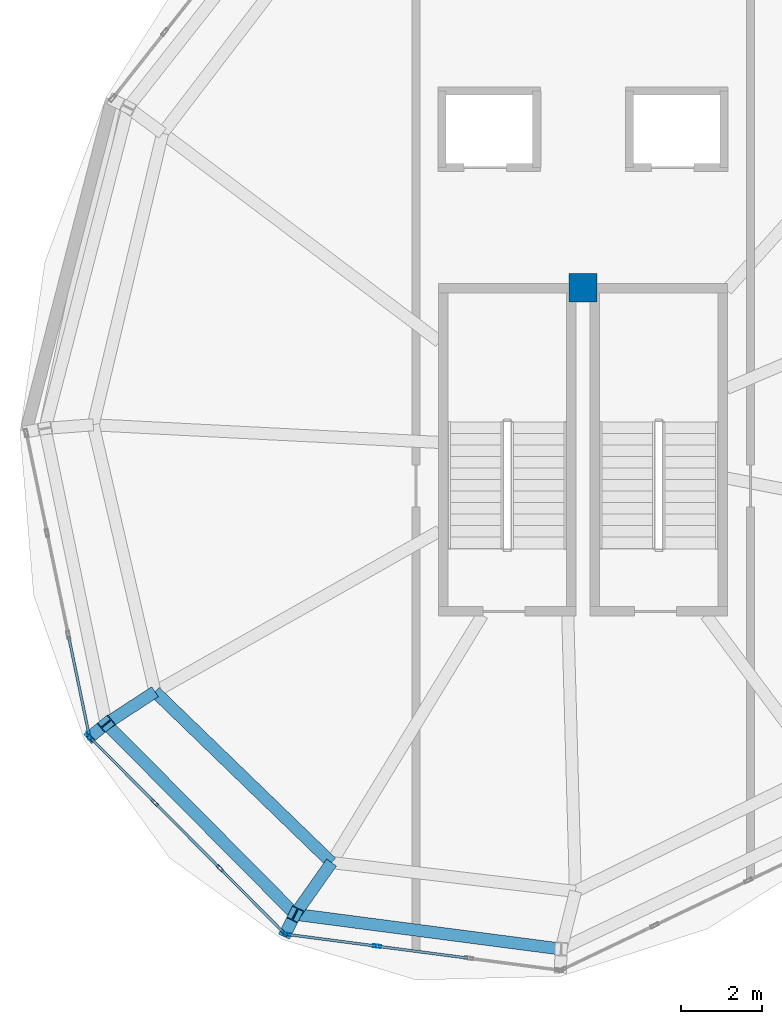
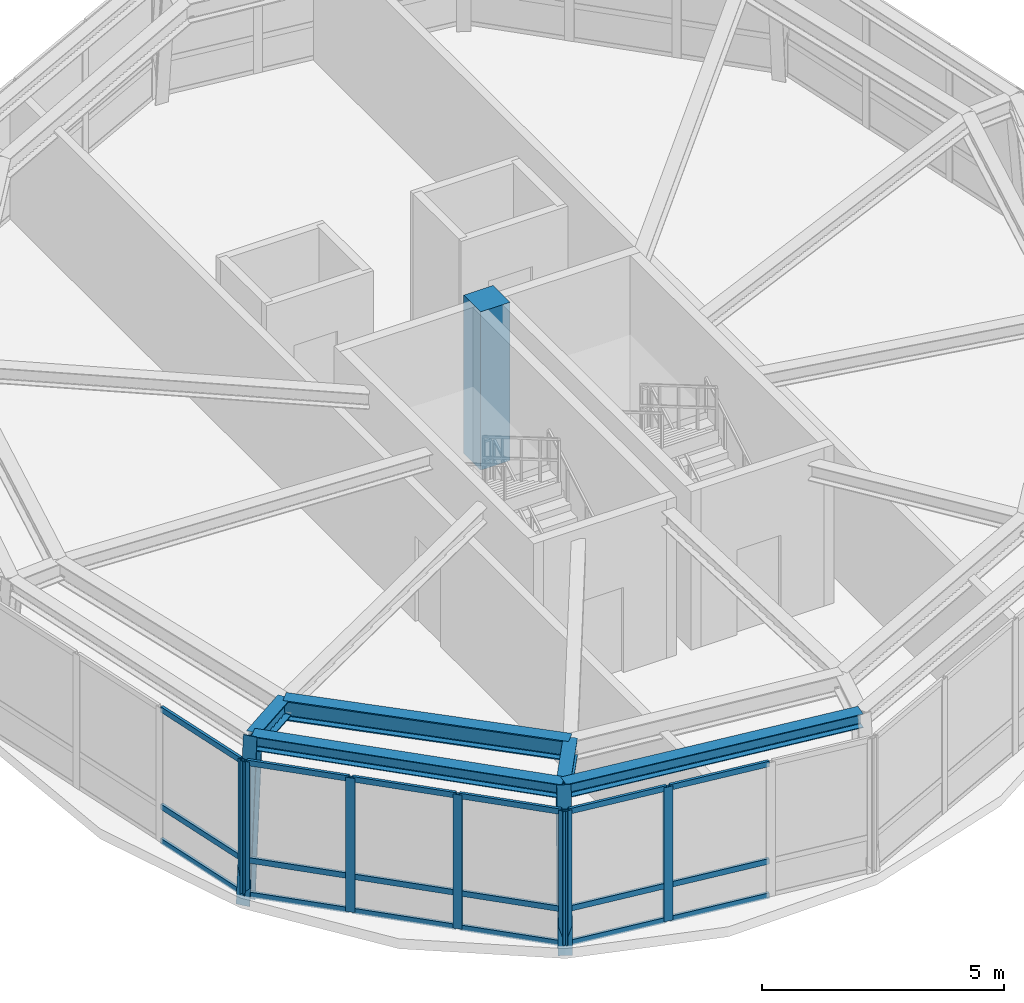
# One storey, part 1 of 11: 27 members, 5 beams, 1 column, 3 elements without a shape of their own.
"""IFC4 building model written with IfcOpenShell, lengths in metres."""

import ifcopenshell
import ifcopenshell.guid

model = None  # the IFC model being written
_history = None  # IfcOwnerHistory: only IFC2X3 demands one
_inside = {}  # id of a spatial element -> (the spatial element, [elements in it])
_under = {}  # id of a project, library or spatial element -> (it, [spatial elements below it])
_declared = {}  # id of a project -> (the project, [libraries it declares])
_typed = {}  # id of a type object -> (the type object, [elements of that type])
_made_of = {}  # id of a material, layer set ... -> (it, [elements and type objects made of it])


def new_model(schema):
    """Start an empty IFC model of exactly this schema.

    Asked for "IFC4X3", IfcOpenShell would pick the latest addendum, in which some entities
    have other attributes; the version numbers below select the first issue.
    IFC2X3 requires an IfcOwnerHistory on every rooted entity: one is made here for all.
    """
    global model, _history
    if schema == "IFC4X3":
        model = ifcopenshell.file(schema_version=(4, 3, 0, 0))
    else:
        model = ifcopenshell.file(schema=schema)
    _inside.clear()
    _under.clear()
    _declared.clear()
    _typed.clear()
    _made_of.clear()
    _history = None
    if model.schema == "IFC2X3":
        org = make("IfcOrganization", Name="unknown")
        user = make(
            "IfcPersonAndOrganization",
            ThePerson=make("IfcPerson", FamilyName="unknown"),
            TheOrganization=org,
        )
        app = make(
            "IfcApplication",
            ApplicationDeveloper=org,
            Version="unknown",
            ApplicationFullName="unknown",
            ApplicationIdentifier="unknown",
        )
        _history = make(
            "IfcOwnerHistory",
            OwningUser=user,
            OwningApplication=app,
            ChangeAction="ADDED",
            CreationDate=0,
        )
    return model


def make(cls, **values):
    """One entity of the class cls with the attributes given. An attribute that is None is left unset."""
    return model.create_entity(
        cls, **{name: value for name, value in values.items() if value is not None}
    )


def rooted(cls, **values):
    """An entity with a GlobalId (a new one), such as an element, a storey or a relation."""
    return make(cls, GlobalId=ifcopenshell.guid.new(), OwnerHistory=_history, **values)


def si_unit(unit_type, name, prefix=None):
    """IfcSIUnit, for example si_unit("LENGTHUNIT", "METRE", prefix="MILLI")."""
    return make("IfcSIUnit", UnitType=unit_type, Prefix=prefix, Name=name)


def assignment(units):
    """IfcUnitAssignment: the units of a project."""
    return None if units is None else make("IfcUnitAssignment", Units=units)


def point(xyz):
    """IfcCartesianPoint."""
    return None if xyz is None else make("IfcCartesianPoint", Coordinates=xyz)


def direction(xyz):
    """IfcDirection."""
    return None if xyz is None else make("IfcDirection", DirectionRatios=xyz)


def frame(location, z_axis=None, x_axis=None):
    """IfcAxis2Placement3D, a coordinate frame: its origin and axes. An axis left out is left unset."""
    return make(
        "IfcAxis2Placement3D",
        Location=point(location),
        Axis=direction(z_axis),
        RefDirection=direction(x_axis),
    )


def frame_2d(location, x_axis=None):
    """IfcAxis2Placement2D, a coordinate frame in the plane: its origin and x axis."""
    return make(
        "IfcAxis2Placement2D", Location=point(location), RefDirection=direction(x_axis)
    )


def origin():
    """The frame at (0, 0, 0) with its axes left unset."""
    return frame((0.0, 0.0, 0.0))


def origin_2d():
    """The frame at (0, 0) in the plane with its x axis left unset."""
    return frame_2d((0.0, 0.0))


def place(relative_to, where):
    """IfcLocalPlacement: puts the frame where relative to a parent placement (None: the world)."""
    return make(
        "IfcLocalPlacement", PlacementRelTo=relative_to, RelativePlacement=where
    )


def context(
    kind, dimensions, precision=None, world=None, true_north=None, identifier=None
):
    """IfcGeometricRepresentationContext, for example the 3D "Model" context."""
    return make(
        "IfcGeometricRepresentationContext",
        ContextIdentifier=identifier,
        ContextType=kind,
        CoordinateSpaceDimension=dimensions,
        Precision=precision,
        WorldCoordinateSystem=world,
        TrueNorth=true_north,
    )


def subcontext(parent, identifier, kind, view, scale=None):
    """IfcGeometricRepresentationSubContext, for example "Body" below "Model"."""
    return make(
        "IfcGeometricRepresentationSubContext",
        ContextIdentifier=identifier,
        ContextType=kind,
        ParentContext=parent,
        TargetScale=scale,
        TargetView=view,
    )


def project(units=None, contexts=None):
    """IfcProject with its units and contexts."""
    return rooted(
        "IfcProject",
        Name="project",
        RepresentationContexts=contexts,
        UnitsInContext=assignment(units),
    )


def spatial(cls, under=None, at=None, **own):
    """A site, building, storey or space (cls), placed at a placement, below another one or the project."""
    s = rooted(cls, ObjectPlacement=at, **own)
    if under is not None:
        _under.setdefault(under.id(), (under, []))[1].append(s)
    return s


def profile(cls, at=None, kind="AREA", **sizes):
    """A parametric profile (cls). Its sizes go by their IFC names, for example OverallWidth=200.0."""
    return make(cls, ProfileType=kind, Position=at, **sizes)


def rectangle(**sizes):
    """IfcRectangleProfileDef."""
    return profile("IfcRectangleProfileDef", **sizes)


def hollow_rectangle(**sizes):
    """IfcRectangleHollowProfileDef."""
    return profile("IfcRectangleHollowProfileDef", **sizes)


def i_section(**sizes):
    """IfcIShapeProfileDef."""
    return profile("IfcIShapeProfileDef", **sizes)


def extrude(swept, where, along, depth):
    """IfcExtrudedAreaSolid: the profile swept, set in the frame where, extruded along a direction by depth."""
    return make(
        "IfcExtrudedAreaSolid",
        SweptArea=swept,
        Position=where,
        ExtrudedDirection=direction(along),
        Depth=depth,
    )


def shape(context_of_items, identifier, shape_type, items):
    """IfcShapeRepresentation: the items that make up one representation, for example the "Body"."""
    return make(
        "IfcShapeRepresentation",
        ContextOfItems=context_of_items,
        RepresentationIdentifier=identifier,
        RepresentationType=shape_type,
        Items=items,
    )


def material(Name=None, Category=None):
    """IfcMaterial."""
    return make("IfcMaterial", Name=Name, Category=Category)


def layer(
    of_material, thickness, ventilated=None, Name=None, Category=None, Priority=None
):
    """IfcMaterialLayer: one layer of a wall or slab, of a material (None: an air gap)."""
    return make(
        "IfcMaterialLayer",
        Material=of_material,
        LayerThickness=thickness,
        IsVentilated=ventilated,
        Name=Name,
        Category=Category,
        Priority=Priority,
    )


def layer_set(layers, Name=None):
    """IfcMaterialLayerSet."""
    return make("IfcMaterialLayerSet", MaterialLayers=layers, LayerSetName=Name)


def material_profile(
    of_material, cross_section, Name=None, Category=None, Priority=None
):
    """IfcMaterialProfile: a cross section and its material."""
    return make(
        "IfcMaterialProfile",
        Name=Name,
        Material=of_material,
        Profile=cross_section,
        Priority=Priority,
        Category=Category,
    )


def profile_set(profiles, Name=None, composite=None):
    """IfcMaterialProfileSet."""
    return make(
        "IfcMaterialProfileSet",
        Name=Name,
        MaterialProfiles=profiles,
        CompositeProfile=composite,
    )


def made_of(thing, what):
    """Note that an element or type object is made of a material, layer set ...; save() writes the relation."""
    if what is not None:
        _made_of.setdefault(what.id(), (what, []))[1].append(thing)
    return thing


def type_object(cls, material=None, **own):
    """A type object (cls), such as IfcWallType, which elements share."""
    return made_of(rooted(cls, **own), material)


def element(
    cls,
    number,
    at=None,
    inside=None,
    cuts=None,
    type_object=None,
    material=None,
    context=None,
    identifier="Body",
    shape_type=None,
    held_by="IfcProductDefinitionShape",
    body=None,
    shapes=None,
    **own,
):
    """One element of the class cls, such as IfcWall. Its Tag is "e" and its number.

    at: its placement. inside: the storey or other place that contains it. cuts: it is an
    opening in that element (IfcRelVoidsElement). A single representation is given by context,
    identifier, shape_type and body (its items); several are given by shapes. held_by: the class
    of the entity that holds the representations. save() writes the other relations.
    """
    e = rooted(cls, Tag="e%d" % number, ObjectPlacement=at, **own)
    if body is not None:
        shapes = [shape(context, identifier, shape_type, body)]
    if shapes is not None:
        e.Representation = make(held_by, Representations=shapes)
    if inside is not None:
        _inside.setdefault(inside.id(), (inside, []))[1].append(e)
    if cuts is not None:
        rooted(
            "IfcRelVoidsElement", RelatingBuildingElement=cuts, RelatedOpeningElement=e
        )
    if type_object is not None:
        _typed.setdefault(type_object.id(), (type_object, []))[1].append(e)
    return made_of(e, material)


def aggregate(whole, parts):
    """IfcRelAggregates: a whole, such as a stair, and the parts it consists of."""
    return rooted("IfcRelAggregates", RelatingObject=whole, RelatedObjects=parts)


def save(model, path):
    """Write the relations noted so far, then the file.

    IfcRelAggregates (storeys below a building ...), IfcRelContainedInSpatialStructure (elements
    in a storey), IfcRelDefinesByType, IfcRelAssociatesMaterial and IfcRelDeclares: one each for
    every whole, place, type object, material and project.
    """
    for whole, parts in _under.values():
        aggregate(whole, parts)
    for where, things in _inside.values():
        rooted(
            "IfcRelContainedInSpatialStructure",
            RelatedElements=things,
            RelatingStructure=where,
        )
    for kind, things in _typed.values():
        rooted("IfcRelDefinesByType", RelatedObjects=things, RelatingType=kind)
    for what, things in _made_of.values():
        rooted("IfcRelAssociatesMaterial", RelatedObjects=things, RelatingMaterial=what)
    for by, libraries in _declared.values():
        rooted("IfcRelDeclares", RelatingContext=by, RelatedDefinitions=libraries)
    model.write(path)


model = new_model("IFC4")

# Units and contexts
model_context = context("Model", 3, precision=1e-05, world=origin(), true_north=direction((0.0, 1.0)))
body_context = subcontext(model_context, "Body", "Model", "MODEL_VIEW")
ifc_project = project(units=[si_unit("LENGTHUNIT", "METRE"), si_unit("AREAUNIT", "SQUARE_METRE"), si_unit("VOLUMEUNIT", "CUBIC_METRE"), si_unit("PLANEANGLEUNIT", "RADIAN"), si_unit("MASSUNIT", "GRAM", prefix="KILO"), si_unit("THERMODYNAMICTEMPERATUREUNIT", "KELVIN"), si_unit("POWERUNIT", "WATT")], contexts=[model_context])

# Site, building, storey
site_placement = place(None, origin())
site = spatial("IfcSite", under=ifc_project, at=site_placement, CompositionType="ELEMENT")
building_placement = place(site_placement, origin())
building = spatial("IfcBuilding", under=site, at=building_placement, Name="Ocrelia Relay Tower", CompositionType="ELEMENT")
storey_placement = place(building_placement, frame((0.0, 0.0, 292.0)))
storey = spatial("IfcBuildingStorey", under=building, at=storey_placement, Name="L73", CompositionType="ELEMENT", Elevation=292.0)

# Column
ifc_material_1 = material(Name="Concrete C50/60", Category="concrete")
ifc_material_profile_1 = material_profile(ifc_material_1, rectangle(XDim=0.699951171875, YDim=0.699951171875, at=origin_2d()), Name="RC-COL-700x700")
ifc_profile_set_1 = profile_set([ifc_material_profile_1], Name="Concrete C50/60")
column_type = type_object("IfcColumnType", Name="COL-CC-700", PredefinedType="COLUMN", material=ifc_profile_set_1)
column_placement = place(storey_placement, frame((34.0, 27.1201171875, 0.0), z_axis=(0.0, 0.0, 1.0), x_axis=(1.0, 0.0, 0.0)))
element("IfcColumn", 1, at=column_placement, inside=storey, type_object=column_type, Name="L73 Crown Central Spine Column", PredefinedType="COLUMN", context=body_context, shape_type="SweptSolid", body=[
    extrude(rectangle(XDim=0.699951171875, YDim=0.699951171875, at=origin_2d()), origin(), (0.0, 0.0, 1.0), 4.0),
])

# Beams
ifc_material_2 = material(Name="Steel S355", Category="steel")
ifc_material_profile_2 = material_profile(ifc_material_2, i_section(OverallWidth=0.300048828125, OverallDepth=0.35009765625, WebThickness=0.010009765625, FlangeThickness=0.017578125, FilletRadius=0.027099609375, at=origin_2d()), Name="HEA 360")
ifc_profile_set_2 = profile_set([ifc_material_profile_2], Name="Steel S355")
beam_type_1 = type_object("IfcBeamType", Name="BM-HEA360", PredefinedType="SPANDREL", material=ifc_profile_set_2)
for number, where, z_axis, x_axis, name in (
    (2, (22.166015625, 16.302001953125, 3.574951171875), (0.704001975222, -0.710198013855, 0.0), (0.710198013855, 0.704001975222, 0.0), "L73 Crown Faceted Ring Beam R06"),
    (3, (26.85400390625, 11.57275390625, 3.574951171875), (0.991560907622, -0.129641684946, 0.0), (0.129641684946, 0.991560907622, 0.0), "L73 Crown Faceted Ring Beam R07"),
):
    element("IfcBeam", number, at=place(storey_placement, frame(where, z_axis=z_axis, x_axis=x_axis)), inside=storey, type_object=beam_type_1, Name=name, PredefinedType="SPANDREL", context=body_context, shape_type="SweptSolid", body=[
        extrude(i_section(OverallWidth=0.300048828125, OverallDepth=0.35009765625, WebThickness=0.010009765625, FlangeThickness=0.017578125, FilletRadius=0.027099609375, at=origin_2d()), origin(), (0.0, 0.0, 1.0), 6.658935546875),
    ])
ifc_material_profile_3 = material_profile(ifc_material_2, i_section(OverallWidth=0.300048828125, OverallDepth=0.449951171875, WebThickness=0.013916015625, FlangeThickness=0.02587890625, FilletRadius=0.027099609375, at=origin_2d()), Name="HEB 450")
ifc_profile_set_3 = profile_set([ifc_material_profile_3], Name="Steel S355")
beam_type_2 = type_object("IfcBeamType", Name="BM-HEB450", PredefinedType="BEAM", material=ifc_profile_set_3)
beam_1_placement = place(storey_placement, frame((22.166015625, 16.302001953125, 3.52490234375), z_axis=(0.837046809322, 0.547131281325, 0.0), x_axis=(-0.547131281325, 0.837046809322, 0.0)))
element("IfcBeam", 4, at=beam_1_placement, inside=storey, type_object=beam_type_2, Name="L73 Crown Step Radial Beam ST06", PredefinedType="BEAM", context=body_context, shape_type="SweptSolid", body=[
    extrude(i_section(OverallWidth=0.300048828125, OverallDepth=0.449951171875, WebThickness=0.013916015625, FlangeThickness=0.02587890625, FilletRadius=0.027099609375, at=origin_2d()), origin(), (0.0, 0.0, 1.0), 1.448486328125),
])
beam_2_placement = place(storey_placement, frame((26.85400390625, 11.57275390625, 3.52490234375), z_axis=(0.576213194719, 0.817299427524, 0.0), x_axis=(-0.817299427524, 0.576213194719, 0.0)))
element("IfcBeam", 5, at=beam_2_placement, inside=storey, type_object=beam_type_2, Name="L73 Crown Step Radial Beam ST07", PredefinedType="BEAM", context=body_context, shape_type="SweptSolid", body=[
    extrude(i_section(OverallWidth=0.300048828125, OverallDepth=0.449951171875, WebThickness=0.013916015625, FlangeThickness=0.02587890625, FilletRadius=0.027099609375, at=origin_2d()), origin(), (0.0, 0.0, 1.0), 1.570556640625),
])
ifc_material_profile_4 = material_profile(ifc_material_2, i_section(OverallWidth=0.300048828125, OverallDepth=0.5, WebThickness=0.014404296875, FlangeThickness=0.028076171875, FilletRadius=0.027099609375, at=origin_2d()), Name="HEB 500")
ifc_profile_set_4 = profile_set([ifc_material_profile_4], Name="Steel S355")
beam_type_3 = type_object("IfcBeamType", Name="BM-HEB500", PredefinedType="BEAM", material=ifc_profile_set_4)
beam_3_placement = place(storey_placement, frame((23.37841796875, 17.094482421875, 3.5), z_axis=(0.718706091524, -0.695313996699, 0.0), x_axis=(0.695313996699, 0.718706091524, 0.0)))
element("IfcBeam", 6, at=beam_3_placement, inside=storey, type_object=beam_type_3, Name="L73 Crown Step Perimeter Ring Beam SR06", PredefinedType="BEAM", context=body_context, shape_type="SweptSolid", body=[
    extrude(i_section(OverallWidth=0.300048828125, OverallDepth=0.5, WebThickness=0.014404296875, FlangeThickness=0.028076171875, FilletRadius=0.027099609375, at=origin_2d()), origin(), (0.0, 0.0, 1.0), 6.09521484375),
])

# Curtain wall, member
ifc_material_3 = material(Name="Aluminium and solar-control low-E glass", Category="aluminium")
ifc_layer = layer(ifc_material_3, 0.179931640625, Name="Aluminium and solar-control low-E glass")
ifc_layer_set = layer_set([ifc_layer], Name="Aluminium and solar-control low-E glass")
curtain_wall_type = type_object("IfcCurtainWallType", Name="CW-SYS-CROWN-PT", PredefinedType="NOTDEFINED", material=ifc_layer_set)
curtain_wall_1_placement = place(storey_placement, origin())
curtain_wall_1 = element("IfcCurtainWall", 7, at=curtain_wall_1_placement, inside=storey, type_object=curtain_wall_type, Name="L73 Faceted Glass-Point Crown Curtain Wall 05", PredefinedType="NOTDEFINED")
ifc_material_4 = material(Name="Anodised bronze aluminium", Category="aluminium")
ifc_material_profile_5 = material_profile(ifc_material_4, hollow_rectangle(XDim=0.074951171875, YDim=0.199951171875, WallThickness=0.006103515625, at=origin_2d()), Name="CW-MUL-200x75")
ifc_profile_set_5 = profile_set([ifc_material_profile_5], Name="Anodised bronze aluminium")
member_type_1 = type_object("IfcMemberType", Name="CW-SYS-CROWN-PT-MUL", PredefinedType="MULLION", material=ifc_profile_set_5)
member_1_placement = place(storey_placement, frame((21.745361328125, 16.01171875, 0.0), z_axis=(0.0, 0.0, 1.0), x_axis=(0.979083868397, 0.203457068306, 0.0)))
member_1 = element("IfcMember", 8, at=member_1_placement, type_object=member_type_1, Name="CW-CR mullion 4", PredefinedType="MULLION", context=body_context, shape_type="SweptSolid", body=[
    extrude(hollow_rectangle(XDim=0.074951171875, YDim=0.199951171875, WallThickness=0.006103515625, at=origin_2d()), origin(), (0.0, 0.0, 1.0), 3.389892578125),
])

# Curtain wall, members
curtain_wall_2_placement = place(storey_placement, origin())
curtain_wall_2 = element("IfcCurtainWall", 9, at=curtain_wall_2_placement, inside=storey, type_object=curtain_wall_type, Name="L73 Faceted Glass-Point Crown Curtain Wall 06", PredefinedType="NOTDEFINED")
member_2_placement = place(storey_placement, frame((21.779296875, 15.948486328125, 0.0), z_axis=(0.0, 0.0, 1.0), x_axis=(0.709871175003, 0.70433153763, 0.0)))
member_2 = element("IfcMember", 10, at=member_2_placement, type_object=member_type_1, Name="CW-CR mullion 1", PredefinedType="MULLION", context=body_context, shape_type="SweptSolid", body=[
    extrude(hollow_rectangle(XDim=0.074951171875, YDim=0.199951171875, WallThickness=0.006103515625, at=origin_2d()), origin(), (0.0, 0.0, 1.0), 3.389892578125),
])
member_3_placement = place(storey_placement, frame((23.371826171875, 14.34326171875, 0.0), z_axis=(0.0, 0.0, 1.0), x_axis=(0.709871175003, 0.70433153763, 0.0)))
member_3 = element("IfcMember", 11, at=member_3_placement, type_object=member_type_1, Name="CW-CR mullion 2", PredefinedType="MULLION", context=body_context, shape_type="SweptSolid", body=[
    extrude(hollow_rectangle(XDim=0.074951171875, YDim=0.199951171875, WallThickness=0.006103515625, at=origin_2d()), origin(), (0.0, 0.0, 1.0), 3.389892578125),
])
member_4_placement = place(storey_placement, frame((24.99072265625, 12.711669921875, 0.0), z_axis=(0.0, 0.0, 1.0), x_axis=(0.709871175003, 0.70433153763, 0.0)))
member_4 = element("IfcMember", 12, at=member_4_placement, type_object=member_type_1, Name="CW-CR mullion 3", PredefinedType="MULLION", context=body_context, shape_type="SweptSolid", body=[
    extrude(hollow_rectangle(XDim=0.074951171875, YDim=0.199951171875, WallThickness=0.006103515625, at=origin_2d()), origin(), (0.0, 0.0, 1.0), 3.389892578125),
])
member_5_placement = place(storey_placement, frame((26.58349609375, 11.1064453125, 0.0), z_axis=(0.0, 0.0, 1.0), x_axis=(0.709871175003, 0.70433153763, 0.0)))
member_5 = element("IfcMember", 13, at=member_5_placement, type_object=member_type_1, Name="CW-CR mullion 4", PredefinedType="MULLION", context=body_context, shape_type="SweptSolid", body=[
    extrude(hollow_rectangle(XDim=0.074951171875, YDim=0.199951171875, WallThickness=0.006103515625, at=origin_2d()), origin(), (0.0, 0.0, 1.0), 3.389892578125),
])

curtain_wall_3_placement = place(storey_placement, origin())
curtain_wall_3 = element("IfcCurtainWall", 14, at=curtain_wall_3_placement, inside=storey, type_object=curtain_wall_type, Name="L73 Faceted Glass-Point Crown Curtain Wall 07", PredefinedType="NOTDEFINED")
member_6_placement = place(storey_placement, frame((26.64697265625, 11.074951171875, 0.0), z_axis=(0.0, 0.0, 1.0), x_axis=(0.13010788898, 0.991499842272, 0.0)))
member_6 = element("IfcMember", 15, at=member_6_placement, type_object=member_type_1, Name="CW-CR mullion 1", PredefinedType="MULLION", context=body_context, shape_type="SweptSolid", body=[
    extrude(hollow_rectangle(XDim=0.074951171875, YDim=0.199951171875, WallThickness=0.006103515625, at=origin_2d()), origin(), (0.0, 0.0, 1.0), 3.389892578125),
])
member_7_placement = place(storey_placement, frame((28.888916015625, 10.78076171875, 0.0), z_axis=(0.0, 0.0, 1.0), x_axis=(0.13010788898, 0.991499842272, 0.0)))
member_7 = element("IfcMember", 16, at=member_7_placement, type_object=member_type_1, Name="CW-CR mullion 2", PredefinedType="MULLION", context=body_context, shape_type="SweptSolid", body=[
    extrude(hollow_rectangle(XDim=0.074951171875, YDim=0.199951171875, WallThickness=0.006103515625, at=origin_2d()), origin(), (0.0, 0.0, 1.0), 3.389892578125),
])

# Member
ifc_material_profile_6 = material_profile(ifc_material_4, hollow_rectangle(XDim=0.06494140625, YDim=0.139892578125, WallThickness=0.0048828125, at=origin_2d()), Name="CW-TRN-140x65")
ifc_profile_set_6 = profile_set([ifc_material_profile_6], Name="Anodised bronze aluminium")
member_type_2 = type_object("IfcMemberType", Name="CW-SYS-CROWN-PT-TRN", PredefinedType="USERDEFINED", material=ifc_profile_set_6)
member_8_placement = place(storey_placement, frame((21.2353515625, 18.46533203125, 0.032470703125), z_axis=(0.203432913308, -0.97908888758, 0.0), x_axis=(0.97908888758, 0.203432913308, 0.0)))
member_8 = element("IfcMember", 17, at=member_8_placement, type_object=member_type_2, Name="CW-CR transom 3.1", ObjectType="TRANSOM", PredefinedType="USERDEFINED", context=body_context, shape_type="SweptSolid", body=[
    extrude(hollow_rectangle(XDim=0.06494140625, YDim=0.139892578125, WallThickness=0.0048828125, at=origin_2d()), origin(), (0.0, 0.0, 1.0), 2.468505859375),
])

member_9_placement = place(storey_placement, frame((21.2353515625, 18.46533203125, 0.89990234375), z_axis=(0.203432913308, -0.97908888758, 0.0), x_axis=(0.97908888758, 0.203432913308, 0.0)))
member_9 = element("IfcMember", 18, at=member_9_placement, type_object=member_type_2, Name="CW-CR transom 3.2", ObjectType="TRANSOM", PredefinedType="USERDEFINED", context=body_context, shape_type="SweptSolid", body=[
    extrude(hollow_rectangle(XDim=0.06494140625, YDim=0.139892578125, WallThickness=0.0048828125, at=origin_2d()), origin(), (0.0, 0.0, 1.0), 2.468505859375),
])

member_10_placement = place(storey_placement, frame((21.2353515625, 18.46533203125, 3.357421875), z_axis=(0.203432913308, -0.97908888758, 0.0), x_axis=(0.97908888758, 0.203432913308, 0.0)))
member_10 = element("IfcMember", 19, at=member_10_placement, type_object=member_type_2, Name="CW-CR transom 3.3", ObjectType="TRANSOM", PredefinedType="USERDEFINED", context=body_context, shape_type="SweptSolid", body=[
    extrude(hollow_rectangle(XDim=0.06494140625, YDim=0.139892578125, WallThickness=0.0048828125, at=origin_2d()), origin(), (0.0, 0.0, 1.0), 2.468505859375),
])

aggregate(curtain_wall_1, [member_1, member_8, member_9, member_10])

member_11_placement = place(storey_placement, frame((21.8056640625, 15.921875, 0.032470703125), z_axis=(0.704309492996, -0.709893046928, 0.0), x_axis=(0.709893046928, 0.704309492996, 0.0)))
member_11 = element("IfcMember", 20, at=member_11_placement, type_object=member_type_2, Name="CW-CR transom 1.1", ObjectType="TRANSOM", PredefinedType="USERDEFINED", context=body_context, shape_type="SweptSolid", body=[
    extrude(hollow_rectangle(XDim=0.06494140625, YDim=0.139892578125, WallThickness=0.0048828125, at=origin_2d()), origin(), (0.0, 0.0, 1.0), 2.186279296875),
])

member_12_placement = place(storey_placement, frame((21.8056640625, 15.921875, 0.89990234375), z_axis=(0.704309492996, -0.709893046928, 0.0), x_axis=(0.709893046928, 0.704309492996, 0.0)))
member_12 = element("IfcMember", 21, at=member_12_placement, type_object=member_type_2, Name="CW-CR transom 1.2", ObjectType="TRANSOM", PredefinedType="USERDEFINED", context=body_context, shape_type="SweptSolid", body=[
    extrude(hollow_rectangle(XDim=0.06494140625, YDim=0.139892578125, WallThickness=0.0048828125, at=origin_2d()), origin(), (0.0, 0.0, 1.0), 2.186279296875),
])

member_13_placement = place(storey_placement, frame((21.8056640625, 15.921875, 3.357421875), z_axis=(0.704309492996, -0.709893046928, 0.0), x_axis=(0.709893046928, 0.704309492996, 0.0)))
member_13 = element("IfcMember", 22, at=member_13_placement, type_object=member_type_2, Name="CW-CR transom 1.3", ObjectType="TRANSOM", PredefinedType="USERDEFINED", context=body_context, shape_type="SweptSolid", body=[
    extrude(hollow_rectangle(XDim=0.06494140625, YDim=0.139892578125, WallThickness=0.0048828125, at=origin_2d()), origin(), (0.0, 0.0, 1.0), 2.186279296875),
])

member_14_placement = place(storey_placement, frame((23.398193359375, 14.316650390625, 0.032470703125), z_axis=(0.7043564942, -0.709846412316, 0.0), x_axis=(0.709846412316, 0.7043564942, 0.0)))
member_14 = element("IfcMember", 23, at=member_14_placement, type_object=member_type_2, Name="CW-CR transom 2.1", ObjectType="TRANSOM", PredefinedType="USERDEFINED", context=body_context, shape_type="SweptSolid", body=[
    extrude(hollow_rectangle(XDim=0.06494140625, YDim=0.139892578125, WallThickness=0.0048828125, at=origin_2d()), origin(), (0.0, 0.0, 1.0), 2.2236328125),
])

member_15_placement = place(storey_placement, frame((23.398193359375, 14.316650390625, 0.89990234375), z_axis=(0.7043564942, -0.709846412316, 0.0), x_axis=(0.709846412316, 0.7043564942, 0.0)))
member_15 = element("IfcMember", 24, at=member_15_placement, type_object=member_type_2, Name="CW-CR transom 2.2", ObjectType="TRANSOM", PredefinedType="USERDEFINED", context=body_context, shape_type="SweptSolid", body=[
    extrude(hollow_rectangle(XDim=0.06494140625, YDim=0.139892578125, WallThickness=0.0048828125, at=origin_2d()), origin(), (0.0, 0.0, 1.0), 2.2236328125),
])

member_16_placement = place(storey_placement, frame((23.398193359375, 14.316650390625, 3.357421875), z_axis=(0.7043564942, -0.709846412316, 0.0), x_axis=(0.709846412316, 0.7043564942, 0.0)))
member_16 = element("IfcMember", 25, at=member_16_placement, type_object=member_type_2, Name="CW-CR transom 2.3", ObjectType="TRANSOM", PredefinedType="USERDEFINED", context=body_context, shape_type="SweptSolid", body=[
    extrude(hollow_rectangle(XDim=0.06494140625, YDim=0.139892578125, WallThickness=0.0048828125, at=origin_2d()), origin(), (0.0, 0.0, 1.0), 2.2236328125),
])

member_17_placement = place(storey_placement, frame((25.017333984375, 12.68505859375, 0.032470703125), z_axis=(0.704253209924, -0.709948882887, 0.0), x_axis=(0.709948882887, 0.704253209924, 0.0)))
member_17 = element("IfcMember", 26, at=member_17_placement, type_object=member_type_2, Name="CW-CR transom 3.1", ObjectType="TRANSOM", PredefinedType="USERDEFINED", context=body_context, shape_type="SweptSolid", body=[
    extrude(hollow_rectangle(XDim=0.06494140625, YDim=0.139892578125, WallThickness=0.0048828125, at=origin_2d()), origin(), (0.0, 0.0, 1.0), 2.18603515625),
])

member_18_placement = place(storey_placement, frame((25.017333984375, 12.68505859375, 0.89990234375), z_axis=(0.704253209924, -0.709948882887, 0.0), x_axis=(0.709948882887, 0.704253209924, 0.0)))
member_18 = element("IfcMember", 27, at=member_18_placement, type_object=member_type_2, Name="CW-CR transom 3.2", ObjectType="TRANSOM", PredefinedType="USERDEFINED", context=body_context, shape_type="SweptSolid", body=[
    extrude(hollow_rectangle(XDim=0.06494140625, YDim=0.139892578125, WallThickness=0.0048828125, at=origin_2d()), origin(), (0.0, 0.0, 1.0), 2.18603515625),
])

member_19_placement = place(storey_placement, frame((25.017333984375, 12.68505859375, 3.357421875), z_axis=(0.704253209924, -0.709948882887, 0.0), x_axis=(0.709948882887, 0.704253209924, 0.0)))
member_19 = element("IfcMember", 28, at=member_19_placement, type_object=member_type_2, Name="CW-CR transom 3.3", ObjectType="TRANSOM", PredefinedType="USERDEFINED", context=body_context, shape_type="SweptSolid", body=[
    extrude(hollow_rectangle(XDim=0.06494140625, YDim=0.139892578125, WallThickness=0.0048828125, at=origin_2d()), origin(), (0.0, 0.0, 1.0), 2.18603515625),
])

aggregate(curtain_wall_2, [member_2, member_3, member_4, member_5, member_11, member_12, member_13, member_14, member_15, member_16, member_17, member_18, member_19])

member_20_placement = place(storey_placement, frame((26.68408203125, 11.070068359375, 0.032470703125), z_axis=(0.991501740078, -0.130093425745, 0.0), x_axis=(0.130093425745, 0.991501740078, 0.0)))
member_20 = element("IfcMember", 29, at=member_20_placement, type_object=member_type_2, Name="CW-CR transom 1.1", ObjectType="TRANSOM", PredefinedType="USERDEFINED", context=body_context, shape_type="SweptSolid", body=[
    extrude(hollow_rectangle(XDim=0.06494140625, YDim=0.139892578125, WallThickness=0.0048828125, at=origin_2d()), origin(), (0.0, 0.0, 1.0), 2.186279296875),
])

member_21_placement = place(storey_placement, frame((26.68408203125, 11.070068359375, 0.89990234375), z_axis=(0.991501740078, -0.130093425745, 0.0), x_axis=(0.130093425745, 0.991501740078, 0.0)))
member_21 = element("IfcMember", 30, at=member_21_placement, type_object=member_type_2, Name="CW-CR transom 1.2", ObjectType="TRANSOM", PredefinedType="USERDEFINED", context=body_context, shape_type="SweptSolid", body=[
    extrude(hollow_rectangle(XDim=0.06494140625, YDim=0.139892578125, WallThickness=0.0048828125, at=origin_2d()), origin(), (0.0, 0.0, 1.0), 2.186279296875),
])

member_22_placement = place(storey_placement, frame((26.68408203125, 11.070068359375, 3.357421875), z_axis=(0.991501740078, -0.130093425745, 0.0), x_axis=(0.130093425745, 0.991501740078, 0.0)))
member_22 = element("IfcMember", 31, at=member_22_placement, type_object=member_type_2, Name="CW-CR transom 1.3", ObjectType="TRANSOM", PredefinedType="USERDEFINED", context=body_context, shape_type="SweptSolid", body=[
    extrude(hollow_rectangle(XDim=0.06494140625, YDim=0.139892578125, WallThickness=0.0048828125, at=origin_2d()), origin(), (0.0, 0.0, 1.0), 2.186279296875),
])

member_23_placement = place(storey_placement, frame((28.926025390625, 10.77587890625, 0.032470703125), z_axis=(0.991500942594, -0.130099503596, 0.0), x_axis=(0.130099503596, 0.991500942594, 0.0)))
member_23 = element("IfcMember", 32, at=member_23_placement, type_object=member_type_2, Name="CW-CR transom 2.1", ObjectType="TRANSOM", PredefinedType="USERDEFINED", context=body_context, shape_type="SweptSolid", body=[
    extrude(hollow_rectangle(XDim=0.06494140625, YDim=0.139892578125, WallThickness=0.0048828125, at=origin_2d()), origin(), (0.0, 0.0, 1.0), 2.2236328125),
])

member_24_placement = place(storey_placement, frame((28.926025390625, 10.77587890625, 0.89990234375), z_axis=(0.991500942594, -0.130099503596, 0.0), x_axis=(0.130099503596, 0.991500942594, 0.0)))
member_24 = element("IfcMember", 33, at=member_24_placement, type_object=member_type_2, Name="CW-CR transom 2.2", ObjectType="TRANSOM", PredefinedType="USERDEFINED", context=body_context, shape_type="SweptSolid", body=[
    extrude(hollow_rectangle(XDim=0.06494140625, YDim=0.139892578125, WallThickness=0.0048828125, at=origin_2d()), origin(), (0.0, 0.0, 1.0), 2.2236328125),
])

member_25_placement = place(storey_placement, frame((28.926025390625, 10.77587890625, 3.357421875), z_axis=(0.991500942594, -0.130099503596, 0.0), x_axis=(0.130099503596, 0.991500942594, 0.0)))
member_25 = element("IfcMember", 34, at=member_25_placement, type_object=member_type_2, Name="CW-CR transom 2.3", ObjectType="TRANSOM", PredefinedType="USERDEFINED", context=body_context, shape_type="SweptSolid", body=[
    extrude(hollow_rectangle(XDim=0.06494140625, YDim=0.139892578125, WallThickness=0.0048828125, at=origin_2d()), origin(), (0.0, 0.0, 1.0), 2.2236328125),
])

aggregate(curtain_wall_3, [member_6, member_7, member_20, member_21, member_22, member_23, member_24, member_25])

# Members
ifc_material_profile_7 = material_profile(ifc_material_2, i_section(OverallWidth=0.300048828125, OverallDepth=0.340087890625, WebThickness=0.011962890625, FlangeThickness=0.021484375, FilletRadius=0.027099609375, at=origin_2d()), Name="HEB 340")
ifc_profile_set_7 = profile_set([ifc_material_profile_7], Name="Steel S355")
member_type_3 = type_object("IfcMemberType", Name="MB-CROWN-RIB", PredefinedType="STRUT", material=ifc_profile_set_7)
member_26_placement = place(storey_placement, frame((21.836181640625, 16.030517578125, -0.25), z_axis=(0.081992224779, 0.067487308626, 0.994345381771), x_axis=(-0.635506912211, 0.772095178415, 0.0)))
element("IfcMember", 35, at=member_26_placement, inside=storey, type_object=member_type_3, Name="L73 Crown Faceted Structural Strut Rib CR06", PredefinedType="STRUT", context=body_context, shape_type="SweptSolid", body=[
    extrude(i_section(OverallWidth=0.300048828125, OverallDepth=0.340087890625, WebThickness=0.011962890625, FlangeThickness=0.021484375, FilletRadius=0.027099609375, at=origin_2d()), origin(), (0.0, 0.0, 1.0), 4.022705078125),
])
member_27_placement = place(storey_placement, frame((26.654296875, 11.169677734375, -0.25), z_axis=(0.049614007362, 0.100137807034, 0.993735814931), x_axis=(-0.896049457176, 0.44395424347, 0.0)))
element("IfcMember", 36, at=member_27_placement, inside=storey, type_object=member_type_3, Name="L73 Crown Faceted Structural Strut Rib CR07", PredefinedType="STRUT", context=body_context, shape_type="SweptSolid", body=[
    extrude(i_section(OverallWidth=0.300048828125, OverallDepth=0.340087890625, WebThickness=0.011962890625, FlangeThickness=0.021484375, FilletRadius=0.027099609375, at=origin_2d()), origin(), (0.0, 0.0, 1.0), 4.025146484375),
])

save(model, "model.ifc")
